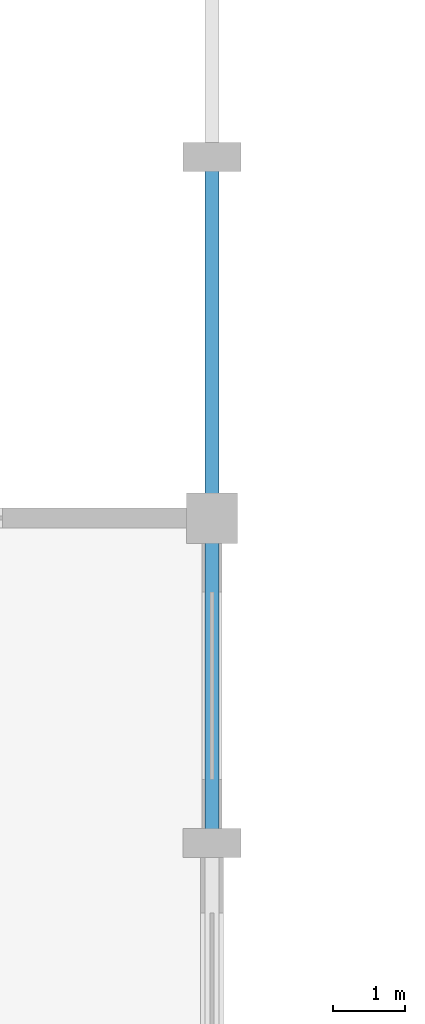
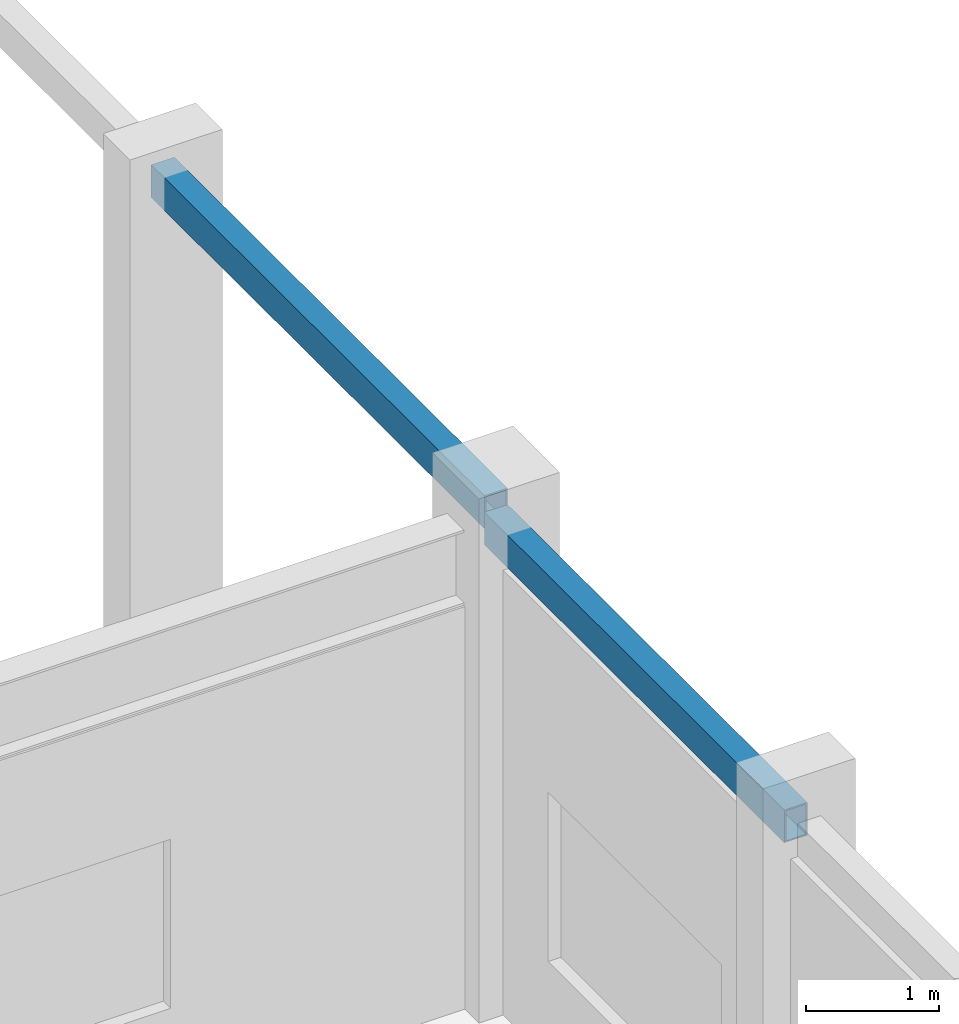
# One storey, part 36 of 99: 2 beams.
"""IFC4 building model written with IfcOpenShell, lengths in metres."""

from ifc_helpers import new_model, si_unit, direction, frame, origin, origin_2d, place, context, subcontext, project, spatial, hollow_rectangle, extrude, material, material_profile, profile_set, type_object, element, save


model = new_model("IFC4")

# Units and contexts
model_context = context("Model", 3, precision=1e-05, world=origin(), true_north=direction((0.0, 1.0)))
body_context = subcontext(model_context, "Body", "Model", "MODEL_VIEW")
ifc_project = project(units=[si_unit("LENGTHUNIT", "METRE"), si_unit("AREAUNIT", "SQUARE_METRE"), si_unit("VOLUMEUNIT", "CUBIC_METRE"), si_unit("PLANEANGLEUNIT", "RADIAN"), si_unit("MASSUNIT", "GRAM", prefix="KILO")], contexts=[model_context])

# Site, building, storey
site_placement = place(None, origin())
site = spatial("IfcSite", under=ifc_project, at=site_placement, CompositionType="ELEMENT")
building_placement = place(site_placement, origin())
building = spatial("IfcBuilding", under=site, at=building_placement, Name="Ventoquebrada Cableway Terminal", CompositionType="ELEMENT")
storey_placement = place(building_placement, frame((0.0, 0.0, 9.60009765625)))
storey = spatial("IfcBuildingStorey", under=building, at=storey_placement, Name="L02", CompositionType="ELEMENT", Elevation=9.60009765625)

# Beams
ifc_material = material(Name="Steel ASTM A500 Grade C", Category="steel")
ifc_material_profile = material_profile(ifc_material, hollow_rectangle(XDim=0.199951171875, YDim=0.300048828125, WallThickness=0.012451171875, at=origin_2d()), Name="RHS300X200X12.5")
ifc_profile_set = profile_set([ifc_material_profile], Name="Steel ASTM A500 Grade C")
beam_type = type_object("IfcBeamType", Name="SP-ST02", PredefinedType="SPANDREL", material=ifc_profile_set)
beam_1_placement = place(storey_placement, frame((35.0, 99.5, 4.22998046875), z_axis=(0.0, 1.0, 0.0), x_axis=(-1.0, 0.0, 0.0)))
element("IfcBeam", 1, at=beam_1_placement, inside=storey, type_object=beam_type, Name="Perimeter spandrel beam FBM-0486", PredefinedType="SPANDREL", context=body_context, shape_type="SweptSolid", body=[
    extrude(hollow_rectangle(XDim=0.199951171875, YDim=0.300048828125, WallThickness=0.012451171875, at=origin_2d()), origin(), (0.0, 0.0, 1.0), 4.5),
])
beam_2_placement = place(storey_placement, frame((35.0, 104.0, 4.3798828125), z_axis=(0.0, 1.0, 0.0), x_axis=(-1.0, 0.0, 0.0)))
element("IfcBeam", 2, at=beam_2_placement, inside=storey, type_object=beam_type, Name="Perimeter spandrel beam FBM-0487", PredefinedType="SPANDREL", context=body_context, shape_type="SweptSolid", body=[
    extrude(hollow_rectangle(XDim=0.199951171875, YDim=0.300048828125, WallThickness=0.012451171875, at=origin_2d()), origin(), (0.0, 0.0, 1.0), 5.0),
])

save(model, "model.ifc")
